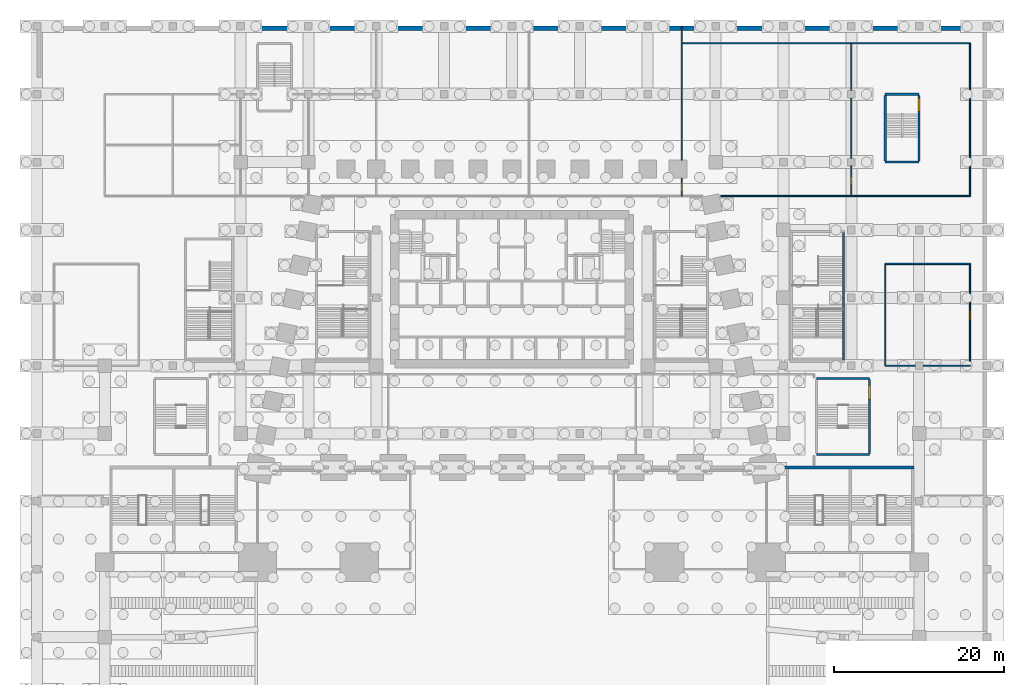
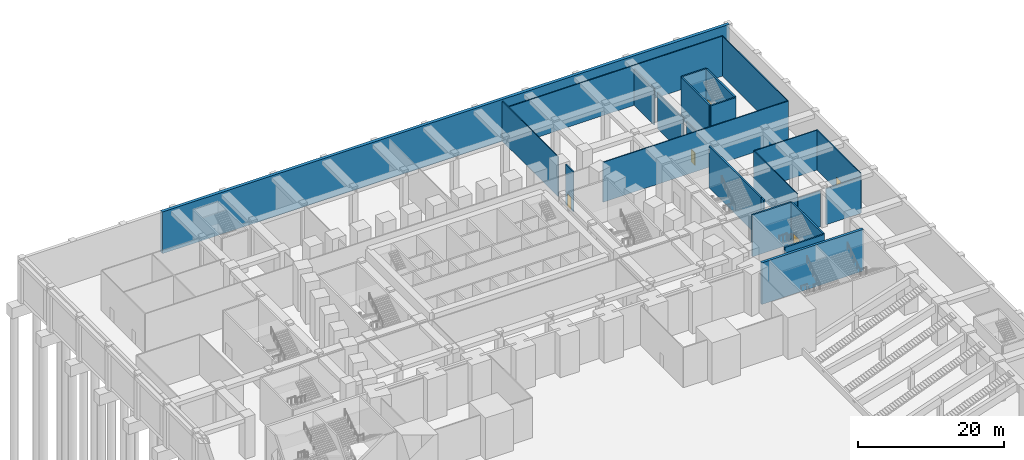
# One storey, part 13 of 30: 24 walls, 5 doors, 5 openings.
"""IFC4 building model written with IfcOpenShell, lengths in metres."""

from ifc_helpers import new_model, si_unit, direction, frame, frame_2d, origin, place, context, subcontext, project, spatial, rectangle, extrude, material, layer, layer_set, type_object, element, fill, save


model = new_model("IFC4")

# Units and contexts
model_context = context("Model", 3, precision=1e-05, world=origin(), true_north=direction((0.0, 1.0)))
body_context = subcontext(model_context, "Body", "Model", "MODEL_VIEW")
ifc_project = project(units=[si_unit("LENGTHUNIT", "METRE"), si_unit("AREAUNIT", "SQUARE_METRE"), si_unit("VOLUMEUNIT", "CUBIC_METRE"), si_unit("PLANEANGLEUNIT", "RADIAN"), si_unit("MASSUNIT", "GRAM", prefix="KILO")], contexts=[model_context])

# Site, building, storey
site_placement = place(None, origin())
site = spatial("IfcSite", under=ifc_project, at=site_placement, CompositionType="ELEMENT")
building_placement = place(site_placement, origin())
building = spatial("IfcBuilding", under=site, at=building_placement, Name="Isbrekke Arena Tower", CompositionType="ELEMENT")
storey_placement = place(building_placement, frame((0.0, 0.0, -7.0)))
storey = spatial("IfcBuildingStorey", under=building, at=storey_placement, Name="B1", CompositionType="ELEMENT", Elevation=-7.0)

# Wall
ifc_material_1 = material(Name="Concrete B45 (C45/55)", Category="concrete")
ifc_layer_1 = layer(ifc_material_1, 0.39990234375)
ifc_layer_set_1 = layer_set([ifc_layer_1], Name="AW1 ARENA WALL 400")
wall_type_1 = type_object("IfcWallType", Name="AW1 ARENA WALL 400", PredefinedType="SHEAR", material=ifc_layer_set_1)
wall_1_placement = place(storey_placement, frame((31.25, -6.0, 0.0), z_axis=(0.0, 0.0, 1.0), x_axis=(1.0, 0.0, 0.0)))
element("IfcWall", 1, at=wall_1_placement, inside=storey, type_object=wall_type_1, Name="Arena north wall 10", PredefinedType="SHEAR", context=body_context, shape_type="SweptSolid", body=[
    extrude(rectangle(XDim=16.125, YDim=0.39990234375, at=frame_2d((8.0625, 0.0))), origin(), (0.0, 0.0, 1.0), 7.0),
])

# Wall, opening, door
ifc_material_2 = material(Name="Gypsum board partition on steel studs", Category="steel")
ifc_layer_2 = layer(ifc_material_2, 0.14990234375)
ifc_layer_set_2 = layer_set([ifc_layer_2], Name="IW1 PARTITION 150")
wall_type_2 = type_object("IfcWallType", Name="IW1 PARTITION 150", PredefinedType="PARTITIONING", material=ifc_layer_set_2)
wall_2_placement = place(storey_placement, frame((20.0, 26.0, 0.0), z_axis=(0.0, 0.0, 1.0), x_axis=(0.0, 1.0, 0.0)))
wall_2 = element("IfcWall", 2, at=wall_2_placement, inside=storey, type_object=wall_type_2, Name="IW1 partition B1", PredefinedType="PARTITIONING", context=body_context, shape_type="SweptSolid", body=[
    extrude(rectangle(XDim=2.114990234375, YDim=0.14990234375, at=frame_2d((1.0576171875, 0.0))), origin(), (0.0, 0.0, 1.0), 6.699951171875),
])
opening_1_placement = place(wall_2_placement, frame((0.5576171875, 0.0, 0.0)))
opening_1 = element("IfcOpeningElement", 3, at=opening_1_placement, cuts=wall_2, Name="Opening D6", PredefinedType="OPENING", context=body_context, shape_type="SweptSolid", body=[
    extrude(rectangle(XDim=1.0, YDim=2.10009765625, at=frame_2d((0.5, 1.050048828125))), frame((0.0, 0.08984375, 0.0), z_axis=(0.0, -1.0, 0.0), x_axis=(1.0, 0.0, 0.0)), (0.0, 0.0, 1.0), 0.1796875),
])
ifc_material_3 = material(Name="Timber door", Category="wood")
door_type_1 = type_object("IfcDoorType", Name="D6 ROOM DOOR 1000 x 2100", OperationType="SINGLE_SWING_LEFT", PredefinedType="DOOR", material=ifc_material_3)
door_1_placement = place(opening_1_placement, origin())
door_1 = element("IfcDoor", 4, at=door_1_placement, inside=storey, type_object=door_type_1, Name="D6 door B1-03", OperationType="SINGLE_SWING_LEFT", OverallHeight=2.10009765625, OverallWidth=1.0, PredefinedType="DOOR", context=body_context, shape_type="SweptSolid", body=[
    extrude(rectangle(XDim=1.0, YDim=2.10009765625, at=frame_2d((0.5, 1.050048828125))), frame((0.0, 0.07470703125, 0.0), z_axis=(0.0, -1.0, 0.0), x_axis=(1.0, 0.0, 0.0)), (0.0, 0.0, 1.0), 0.1494140625),
])
fill(opening_1, door_1)

# Wall
wall_3_placement = place(storey_placement, frame((20.0, 30.235107421875, 0.0), z_axis=(0.0, 0.0, 1.0), x_axis=(0.0, 1.0, 0.0)))
element("IfcWall", 5, at=wall_3_placement, inside=storey, type_object=wall_type_2, Name="IW1 partition B1", PredefinedType="PARTITIONING", context=body_context, shape_type="SweptSolid", body=[
    extrude(rectangle(XDim=15.764892578125, YDim=0.14990234375, at=frame_2d((7.88232421875, 0.0))), origin(), (0.0, 0.0, 1.0), 6.699951171875),
])

# Wall, opening, door
wall_4_placement = place(storey_placement, frame((40.0, 26.0, 0.0), z_axis=(0.0, 0.0, 1.0), x_axis=(0.0, 1.0, 0.0)))
wall_4 = element("IfcWall", 6, at=wall_4_placement, inside=storey, type_object=wall_type_2, Name="IW1 partition B1", PredefinedType="PARTITIONING", context=body_context, shape_type="SweptSolid", body=[
    extrude(rectangle(XDim=3.5400390625, YDim=0.14990234375, at=frame_2d((1.77001953125, 0.0))), origin(), (0.0, 0.0, 1.0), 6.050048828125),
])
opening_2_placement = place(wall_4_placement, frame((1.27001953125, 0.0, 0.0)))
opening_2 = element("IfcOpeningElement", 7, at=opening_2_placement, cuts=wall_4, Name="Opening D6", PredefinedType="OPENING", context=body_context, shape_type="SweptSolid", body=[
    extrude(rectangle(XDim=1.0, YDim=2.10009765625, at=frame_2d((0.5, 1.050048828125))), frame((0.0, 0.08984375, 0.0), z_axis=(0.0, -1.0, 0.0), x_axis=(1.0, 0.0, 0.0)), (0.0, 0.0, 1.0), 0.1796875),
])
door_2_placement = place(opening_2_placement, origin())
door_2 = element("IfcDoor", 8, at=door_2_placement, inside=storey, type_object=door_type_1, Name="D6 door B1-16", OperationType="SINGLE_SWING_LEFT", OverallHeight=2.10009765625, OverallWidth=1.0, PredefinedType="DOOR", context=body_context, shape_type="SweptSolid", body=[
    extrude(rectangle(XDim=1.0, YDim=2.10009765625, at=frame_2d((0.5, 1.050048828125))), frame((0.0, 0.07470703125, 0.0), z_axis=(0.0, -1.0, 0.0), x_axis=(1.0, 0.0, 0.0)), (0.0, 0.0, 1.0), 0.1494140625),
])
fill(opening_2, door_2)

# Walls
wall_5_placement = place(storey_placement, frame((40.0, 30.4599609375, 0.0), z_axis=(0.0, 0.0, 1.0), x_axis=(0.0, 1.0, 0.0)))
element("IfcWall", 9, at=wall_5_placement, inside=storey, type_object=wall_type_2, Name="IW1 partition B1", PredefinedType="PARTITIONING", context=body_context, shape_type="SweptSolid", body=[
    extrude(rectangle(XDim=7.080078125, YDim=0.14990234375, at=frame_2d((3.5400390625, 0.0))), origin(), (0.0, 0.0, 1.0), 6.050048828125),
])
wall_6_placement = place(storey_placement, frame((40.0, 38.4599609375, 0.0), z_axis=(0.0, 0.0, 1.0), x_axis=(0.0, 1.0, 0.0)))
element("IfcWall", 10, at=wall_6_placement, inside=storey, type_object=wall_type_2, Name="IW1 partition B1", PredefinedType="PARTITIONING", context=body_context, shape_type="SweptSolid", body=[
    extrude(rectangle(XDim=5.5400390625, YDim=0.14990234375, at=frame_2d((2.77001953125, 0.0))), origin(), (0.0, 0.0, 1.0), 6.050048828125),
])
wall_7_placement = place(storey_placement, frame((44.0, 6.0, 0.0), z_axis=(0.0, 0.0, 1.0), x_axis=(0.0, 1.0, 0.0)))
element("IfcWall", 11, at=wall_7_placement, inside=storey, type_object=wall_type_2, Name="IW1 partition B1", PredefinedType="PARTITIONING", context=body_context, shape_type="SweptSolid", body=[
    extrude(rectangle(XDim=12.0, YDim=0.14990234375, at=frame_2d((6.0, 0.0))), origin(), (0.0, 0.0, 1.0), 6.699951171875),
])

# Wall, opening, door
wall_8_placement = place(storey_placement, frame((54.0, 6.0, 0.0), z_axis=(0.0, 0.0, 1.0), x_axis=(0.0, 1.0, 0.0)))
wall_8 = element("IfcWall", 12, at=wall_8_placement, inside=storey, type_object=wall_type_2, Name="IW1 partition B1", PredefinedType="PARTITIONING", context=body_context, shape_type="SweptSolid", body=[
    extrude(rectangle(XDim=12.0, YDim=0.14990234375, at=frame_2d((6.0, 0.0))), origin(), (0.0, 0.0, 1.0), 6.699951171875),
])
opening_3_placement = place(wall_8_placement, frame((5.5, 0.0, 0.0)))
opening_3 = element("IfcOpeningElement", 13, at=opening_3_placement, cuts=wall_8, Name="Opening D6", PredefinedType="OPENING", context=body_context, shape_type="SweptSolid", body=[
    extrude(rectangle(XDim=1.0, YDim=2.10009765625, at=frame_2d((0.5, 1.050048828125))), frame((0.0, 0.08984375, 0.0), z_axis=(0.0, -1.0, 0.0), x_axis=(1.0, 0.0, 0.0)), (0.0, 0.0, 1.0), 0.1796875),
])
door_3_placement = place(opening_3_placement, origin())
door_3 = element("IfcDoor", 14, at=door_3_placement, inside=storey, type_object=door_type_1, Name="D6 door B1-11", OperationType="SINGLE_SWING_LEFT", OverallHeight=2.10009765625, OverallWidth=1.0, PredefinedType="DOOR", context=body_context, shape_type="SweptSolid", body=[
    extrude(rectangle(XDim=1.0, YDim=2.10009765625, at=frame_2d((0.5, 1.050048828125))), frame((0.0, 0.07470703125, 0.0), z_axis=(0.0, -1.0, 0.0), x_axis=(1.0, 0.0, 0.0)), (0.0, 0.0, 1.0), 0.1494140625),
])
fill(opening_3, door_3)

# Walls
wall_9_placement = place(storey_placement, frame((54.0, 26.0, 0.0), z_axis=(0.0, 0.0, 1.0), x_axis=(0.0, 1.0, 0.0)))
element("IfcWall", 15, at=wall_9_placement, inside=storey, type_object=wall_type_2, Name="IW1 partition B1", PredefinedType="PARTITIONING", context=body_context, shape_type="SweptSolid", body=[
    extrude(rectangle(XDim=18.0, YDim=0.14990234375, at=frame_2d((9.0, 0.0))), origin(), (0.0, 0.0, 1.0), 6.699951171875),
])
wall_10_placement = place(storey_placement, frame((44.0, 6.0, 0.0), z_axis=(0.0, 0.0, 1.0), x_axis=(1.0, 0.0, 0.0)))
element("IfcWall", 16, at=wall_10_placement, inside=storey, type_object=wall_type_2, Name="IW1 partition B1", PredefinedType="PARTITIONING", context=body_context, shape_type="SweptSolid", body=[
    extrude(rectangle(XDim=3.5400390625, YDim=0.14990234375, at=frame_2d((1.77001953125, 0.0))), origin(), (0.0, 0.0, 1.0), 6.050048828125),
])
wall_11_placement = place(storey_placement, frame((48.4599609375, 6.0, 0.0), z_axis=(0.0, 0.0, 1.0), x_axis=(1.0, 0.0, 0.0)))
element("IfcWall", 17, at=wall_11_placement, inside=storey, type_object=wall_type_2, Name="IW1 partition B1", PredefinedType="PARTITIONING", context=body_context, shape_type="SweptSolid", body=[
    extrude(rectangle(XDim=5.5400390625, YDim=0.14990234375, at=frame_2d((2.77001953125, 0.0))), origin(), (0.0, 0.0, 1.0), 6.050048828125),
])
wall_12_placement = place(storey_placement, frame((44.0, 18.0, 0.0), z_axis=(0.0, 0.0, 1.0), x_axis=(1.0, 0.0, 0.0)))
element("IfcWall", 18, at=wall_12_placement, inside=storey, type_object=wall_type_2, Name="IW1 partition B1", PredefinedType="PARTITIONING", context=body_context, shape_type="SweptSolid", body=[
    extrude(rectangle(XDim=10.0, YDim=0.14990234375, at=frame_2d((5.0, 0.0))), origin(), (0.0, 0.0, 1.0), 6.699951171875),
])
wall_13_placement = place(storey_placement, frame((24.61279296875, 26.0, 0.0), z_axis=(0.0, 0.0, 1.0), x_axis=(1.0, 0.0, 0.0)))
element("IfcWall", 19, at=wall_13_placement, inside=storey, type_object=wall_type_2, Name="IW1 partition B1", PredefinedType="PARTITIONING", context=body_context, shape_type="SweptSolid", body=[
    extrude(rectangle(XDim=29.38720703125, YDim=0.14990234375, at=frame_2d((14.693603515625, 0.0))), origin(), (0.0, 0.0, 1.0), 6.699951171875),
])
wall_14_placement = place(storey_placement, frame((20.0, 44.0, 0.0), z_axis=(0.0, 0.0, 1.0), x_axis=(1.0, 0.0, 0.0)))
element("IfcWall", 20, at=wall_14_placement, inside=storey, type_object=wall_type_2, Name="IW1 partition B1", PredefinedType="PARTITIONING", context=body_context, shape_type="SweptSolid", body=[
    extrude(rectangle(XDim=34.0, YDim=0.14990234375, at=frame_2d((17.0, 0.0))), origin(), (0.0, 0.0, 1.0), 6.699951171875),
])
ifc_material_4 = material(Name="Concrete B45 (C45/55)", Category="concrete")
ifc_layer_3 = layer(ifc_material_4, 0.5)
ifc_layer_set_3 = layer_set([ifc_layer_3], Name="RW1 BASEMENT RETAINING WALL 500")
wall_type_3 = type_object("IfcWallType", Name="RW1 BASEMENT RETAINING WALL 500", PredefinedType="SOLIDWALL", material=ifc_layer_set_3)
wall_15_placement = place(storey_placement, frame((56.0, 45.77490234375, 0.0), z_axis=(0.0, 0.0, 1.0), x_axis=(-1.0, 0.0, 0.0)))
element("IfcWall", 21, at=wall_15_placement, inside=storey, type_object=wall_type_3, Name="RW1 retaining wall N1", PredefinedType="SOLIDWALL", context=body_context, shape_type="SweptSolid", body=[
    extrude(rectangle(XDim=90.0, YDim=0.5, at=frame_2d((45.0, 0.0))), origin(), (0.0, 0.0, 1.0), 7.0),
])
ifc_material_5 = material(Name="Concrete B45 (C45/55)", Category="concrete")
ifc_layer_4 = layer(ifc_material_5, 0.25)
ifc_layer_set_4 = layer_set([ifc_layer_4], Name="SW1 STAIR ENCLOSURE WALL 250")
wall_type_4 = type_object("IfcWallType", Name="SW1 STAIR ENCLOSURE WALL 250", PredefinedType="SOLIDWALL", material=ifc_layer_set_4)
for number, where, z_axis, x_axis, name in (
    (22, (44.0, 30.0, 0.0), (0.0, 0.0, 1.0), (1.0, 0.0, 0.0), "SW1 stair wall P1 S B1"),
    (23, (48.0, 38.0, 0.0), (0.0, 0.0, 1.0), (-1.0, 0.0, 0.0), "SW1 stair wall P1 N B1"),
):
    element("IfcWall", number, at=place(storey_placement, frame(where, z_axis=z_axis, x_axis=x_axis)), inside=storey, type_object=wall_type_4, Name=name, PredefinedType="SOLIDWALL", context=body_context, shape_type="SweptSolid", body=[
        extrude(rectangle(XDim=4.0, YDim=0.25, at=frame_2d((2.0, 0.0))), origin(), (0.0, 0.0, 1.0), 7.0),
    ])

# Wall, opening, door
wall_16_placement = place(storey_placement, frame((48.0, 30.125, 0.0), z_axis=(0.0, 0.0, 1.0), x_axis=(0.0, 1.0, 0.0)))
wall_16 = element("IfcWall", 24, at=wall_16_placement, inside=storey, type_object=wall_type_4, Name="SW1 stair wall P1 E B1", PredefinedType="SOLIDWALL", context=body_context, shape_type="SweptSolid", body=[
    extrude(rectangle(XDim=7.75, YDim=0.25, at=frame_2d((3.875, 0.0))), origin(), (0.0, 0.0, 1.0), 7.0),
])
opening_4_placement = place(wall_16_placement, frame((5.85009765625, 0.0, 0.0)))
opening_4 = element("IfcOpeningElement", 25, at=opening_4_placement, cuts=wall_16, Name="Opening D7", PredefinedType="OPENING", context=body_context, shape_type="SweptSolid", body=[
    extrude(rectangle(XDim=1.60009765625, YDim=2.10009765625, at=frame_2d((0.800048828125, 1.050048828125))), frame((0.0, 0.139892578125, 0.0), z_axis=(0.0, -1.0, 0.0), x_axis=(1.0, 0.0, 0.0)), (0.0, 0.0, 1.0), 0.27978515625),
])
ifc_material_6 = material(Name="Steel fire door", Category="steel")
door_type_2 = type_object("IfcDoorType", Name="D7 PODIUM STAIR DOOR 1600 x 2100", OperationType="DOUBLE_DOOR_SINGLE_SWING", PredefinedType="DOOR", material=ifc_material_6)
door_4_placement = place(opening_4_placement, origin())
door_4 = element("IfcDoor", 26, at=door_4_placement, inside=storey, type_object=door_type_2, Name="D7 stair door P1 B1", OperationType="DOUBLE_DOOR_SINGLE_SWING", OverallHeight=2.10009765625, OverallWidth=1.60009765625, PredefinedType="DOOR", context=body_context, shape_type="SweptSolid", body=[
    extrude(rectangle(XDim=1.60009765625, YDim=2.10009765625, at=frame_2d((0.800048828125, 1.050048828125))), frame((0.0, 0.124755859375, 0.0), z_axis=(0.0, -1.0, 0.0), x_axis=(1.0, 0.0, 0.0)), (0.0, 0.0, 1.0), 0.24951171875),
])
fill(opening_4, door_4)

# Walls
wall_17_placement = place(storey_placement, frame((44.0, 37.875, 0.0), z_axis=(0.0, 0.0, 1.0), x_axis=(0.0, -1.0, 0.0)))
element("IfcWall", 27, at=wall_17_placement, inside=storey, type_object=wall_type_4, Name="SW1 stair wall P1 W B1", PredefinedType="SOLIDWALL", context=body_context, shape_type="SweptSolid", body=[
    extrude(rectangle(XDim=7.75, YDim=0.25, at=frame_2d((3.875, 0.0))), origin(), (0.0, 0.0, 1.0), 7.0),
])
for number, where, z_axis, x_axis, name in (
    (28, (35.875, -4.47509765625, 0.0), (0.0, 0.0, 1.0), (1.0, 0.0, 0.0), "SW1 stair wall V1 S B1"),
    (29, (42.125, 4.47509765625, 0.0), (0.0, 0.0, 1.0), (-1.0, 0.0, 0.0), "SW1 stair wall V1 N B1"),
):
    element("IfcWall", number, at=place(storey_placement, frame(where, z_axis=z_axis, x_axis=x_axis)), inside=storey, type_object=wall_type_4, Name=name, PredefinedType="SOLIDWALL", context=body_context, shape_type="SweptSolid", body=[
        extrude(rectangle(XDim=6.25, YDim=0.25, at=frame_2d((3.125, 0.0))), origin(), (0.0, 0.0, 1.0), 7.0),
    ])

# Wall, opening, door
wall_18_placement = place(storey_placement, frame((42.125, -4.35009765625, 0.0), z_axis=(0.0, 0.0, 1.0), x_axis=(0.0, 1.0, 0.0)))
wall_18 = element("IfcWall", 30, at=wall_18_placement, inside=storey, type_object=wall_type_4, Name="SW1 stair wall V1 E B1", PredefinedType="SOLIDWALL", context=body_context, shape_type="SweptSolid", body=[
    extrude(rectangle(XDim=8.7001953125, YDim=0.25, at=frame_2d((4.35009765625, 0.0))), origin(), (0.0, 0.0, 1.0), 7.0),
])
opening_5_placement = place(wall_18_placement, frame((6.39990234375, 0.0, 0.0)))
opening_5 = element("IfcOpeningElement", 31, at=opening_5_placement, cuts=wall_18, Name="Opening D7", PredefinedType="OPENING", context=body_context, shape_type="SweptSolid", body=[
    extrude(rectangle(XDim=1.60009765625, YDim=2.10009765625, at=frame_2d((0.800048828125, 1.050048828125))), frame((0.0, 0.139892578125, 0.0), z_axis=(0.0, -1.0, 0.0), x_axis=(1.0, 0.0, 0.0)), (0.0, 0.0, 1.0), 0.27978515625),
])
door_5_placement = place(opening_5_placement, origin())
door_5 = element("IfcDoor", 32, at=door_5_placement, inside=storey, type_object=door_type_2, Name="D7 stair door V1 B1", OperationType="DOUBLE_DOOR_SINGLE_SWING", OverallHeight=2.10009765625, OverallWidth=1.60009765625, PredefinedType="DOOR", context=body_context, shape_type="SweptSolid", body=[
    extrude(rectangle(XDim=1.60009765625, YDim=2.10009765625, at=frame_2d((0.800048828125, 1.050048828125))), frame((0.0, 0.124755859375, 0.0), z_axis=(0.0, -1.0, 0.0), x_axis=(1.0, 0.0, 0.0)), (0.0, 0.0, 1.0), 0.24951171875),
])
fill(opening_5, door_5)

# Walls
wall_19_placement = place(storey_placement, frame((39.074951171875, 7.39990234375, 0.0), z_axis=(0.0, 0.0, 1.0), x_axis=(0.0, 1.0, 0.0)))
element("IfcWall", 33, at=wall_19_placement, inside=storey, type_object=wall_type_4, Name="SW1 stair wall X7 E B1", PredefinedType="SOLIDWALL", context=body_context, shape_type="SweptSolid", body=[
    extrude(rectangle(XDim=14.300048828125, YDim=0.25, at=frame_2d((7.14990234375, 0.0))), origin(), (0.0, 0.0, 1.0), 7.0),
])
ifc_material_7 = material(Name="Concrete B45 (C45/55)", Category="concrete")
ifc_layer_5 = layer(ifc_material_7, 0.25)
ifc_layer_set_5 = layer_set([ifc_layer_5], Name="SW3 STAIR ENCLOSURE WALL NON-LOAD-BEARING 250")
wall_type_5 = type_object("IfcWallType", Name="SW3 STAIR ENCLOSURE WALL NON-LOAD-BEARING 250", PredefinedType="SOLIDWALL", material=ifc_layer_set_5)
wall_20_placement = place(storey_placement, frame((39.074951171875, 6.64990234375, 0.0), z_axis=(0.0, 0.0, 1.0), x_axis=(0.0, 1.0, 0.0)))
element("IfcWall", 34, at=wall_20_placement, inside=storey, type_object=wall_type_5, Name="SW3 stair enclosure return X7 E B1", PredefinedType="SOLIDWALL", context=body_context, shape_type="SweptSolid", body=[
    extrude(rectangle(XDim=0.75, YDim=0.25, at=frame_2d((0.375, 0.0))), origin(), (0.0, 0.0, 1.0), 7.0),
])

save(model, "model.ifc")
